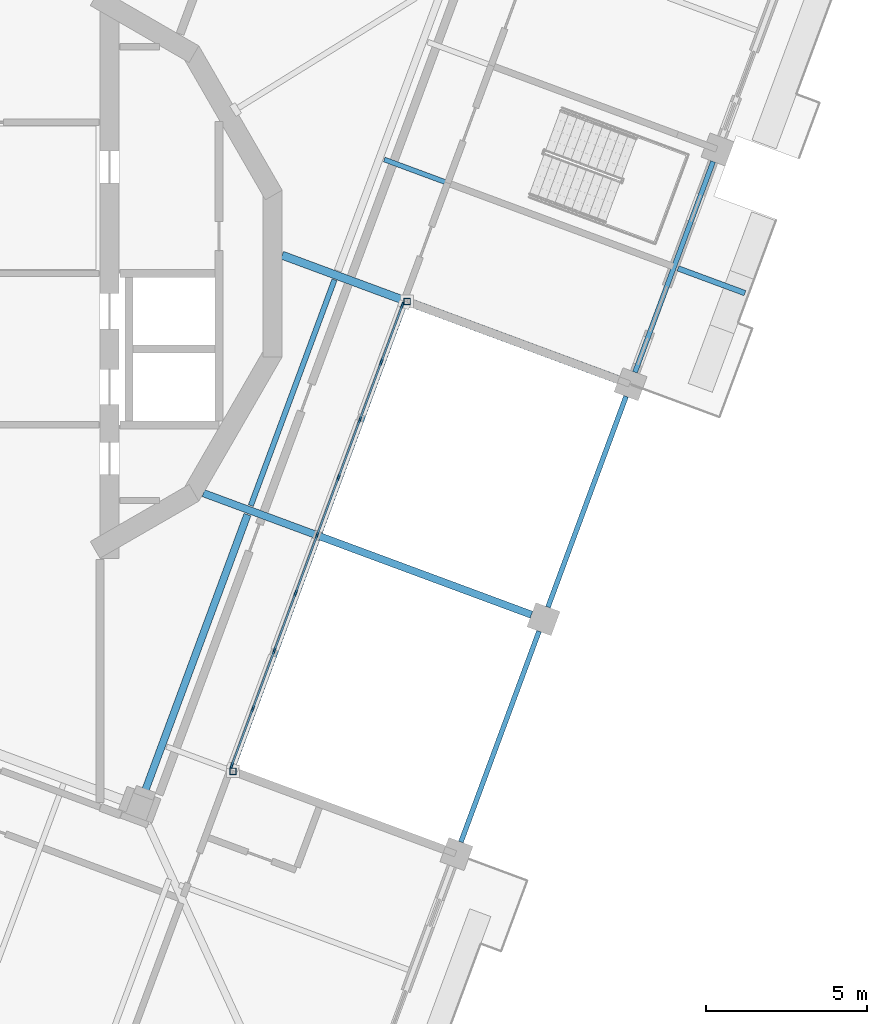
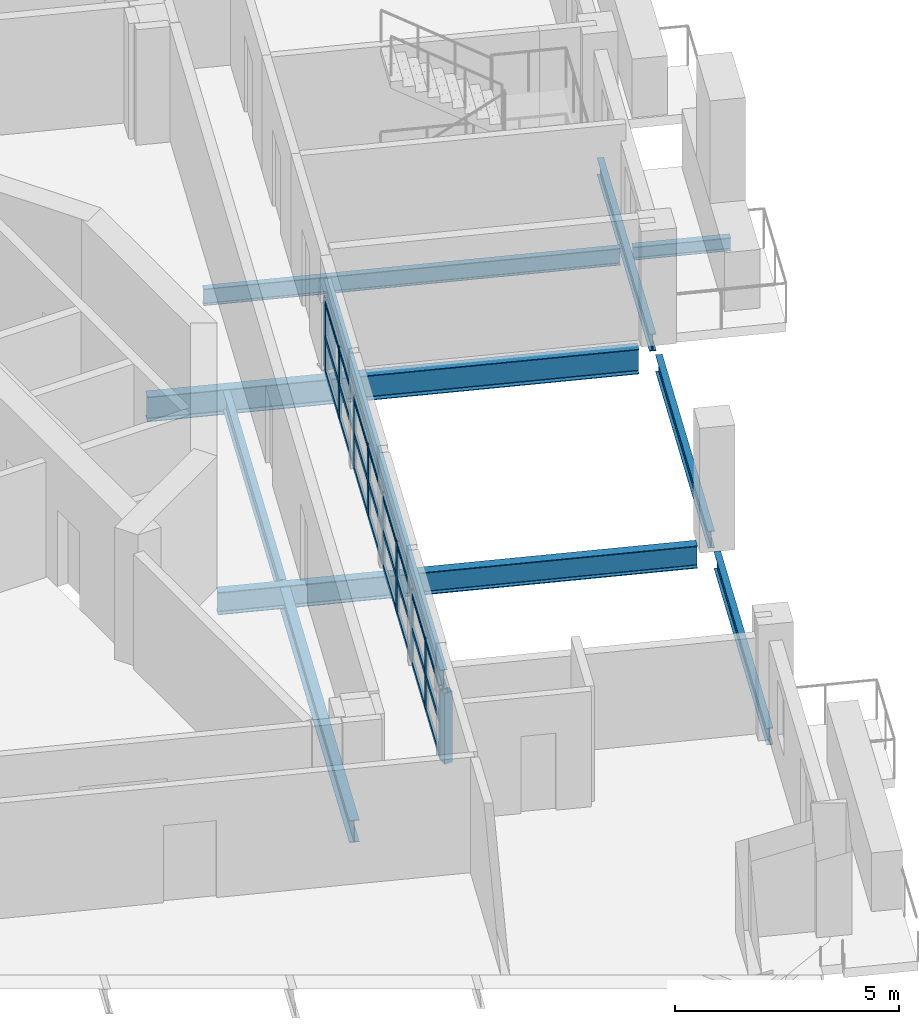
# One storey, part 2 of 19: 35 members, 10 beams, 1 element without a shape of its own.
"""IFC4 building model written with IfcOpenShell, lengths in metres."""

from ifc_helpers import new_model, si_unit, direction, frame, origin, origin_2d, place, context, subcontext, project, spatial, rectangle, hollow_rectangle, i_section, extrude, material, material_profile, profile_set, type_object, element, aggregate, save


model = new_model("IFC4")

# Units and contexts
model_context = context("Model", 3, precision=1e-05, world=origin(), true_north=direction((0.0, 1.0)))
body_context = subcontext(model_context, "Body", "Model", "MODEL_VIEW")
ifc_project = project(units=[si_unit("LENGTHUNIT", "METRE"), si_unit("AREAUNIT", "SQUARE_METRE"), si_unit("VOLUMEUNIT", "CUBIC_METRE"), si_unit("PLANEANGLEUNIT", "RADIAN"), si_unit("MASSUNIT", "GRAM", prefix="KILO")], contexts=[model_context])

# Site, building, storey
site_placement = place(None, origin())
site = spatial("IfcSite", under=ifc_project, at=site_placement, CompositionType="ELEMENT")
building_placement = place(site_placement, origin())
building = spatial("IfcBuilding", under=site, at=building_placement, Name="Cantera Rosa Tower", CompositionType="ELEMENT")
storey_placement = place(building_placement, frame((0.0, 0.0, 342.10009765625)))
storey = spatial("IfcBuildingStorey", under=building, at=storey_placement, Name="L77", CompositionType="ELEMENT", Elevation=342.10009765625)

# Curtain wall, members
ifc_material_1 = material(Name="Aluminium frame with clear glass", Category="aluminium")
curtain_wall_type = type_object("IfcCurtainWallType", Name="CW1 TERRACE POCKET GLAZING", PredefinedType="NOTDEFINED", material=ifc_material_1)
curtain_wall_placement = place(storey_placement, origin())
curtain_wall = element("IfcCurtainWall", 1, at=curtain_wall_placement, inside=storey, type_object=curtain_wall_type, Name="CW1 CW1", PredefinedType="NOTDEFINED")
ifc_material_2 = material(Name="Anodised bronze aluminium", Category="aluminium")
ifc_material_profile_1 = material_profile(ifc_material_2, rectangle(XDim=0.06005859375, YDim=0.179931640625, at=origin_2d()), Name="CW-MULLION 60x180 POCKET")
ifc_profile_set_1 = profile_set([ifc_material_profile_1], Name="Anodised bronze aluminium")
member_type_1 = type_object("IfcMemberType", Name="CW-MULLION 60x180 POCKET", PredefinedType="MULLION", material=ifc_profile_set_1)
member_1_placement = place(storey_placement, frame((8.094970703125, -15.280029296875, 0.0), z_axis=(0.0, 0.0, 1.0), x_axis=(-0.93768693693, 0.347481234472, 0.0)))
member_1 = element("IfcMember", 2, at=member_1_placement, type_object=member_type_1, Name="CW1 mullion 1", PredefinedType="MULLION", context=body_context, shape_type="SweptSolid", body=[
    extrude(rectangle(XDim=0.06005859375, YDim=0.179931640625, at=origin_2d()), origin(), (0.0, 0.0, 1.0), 1.927978515625),
])
member_2_placement = place(storey_placement, frame((8.74951171875, -13.513671875, 0.0), z_axis=(0.0, 0.0, 1.0), x_axis=(-0.93768693693, 0.347481234472, 0.0)))
member_2 = element("IfcMember", 3, at=member_2_placement, type_object=member_type_1, Name="CW1 mullion 2", PredefinedType="MULLION", context=body_context, shape_type="SweptSolid", body=[
    extrude(rectangle(XDim=0.06005859375, YDim=0.179931640625, at=origin_2d()), origin(), (0.0, 0.0, 1.0), 1.927978515625),
])
member_3_placement = place(storey_placement, frame((9.41455078125, -11.718994140625, 0.0), z_axis=(0.0, 0.0, 1.0), x_axis=(-0.93768693693, 0.347481234472, 0.0)))
member_3 = element("IfcMember", 4, at=member_3_placement, type_object=member_type_1, Name="CW1 mullion 3", PredefinedType="MULLION", context=body_context, shape_type="SweptSolid", body=[
    extrude(rectangle(XDim=0.06005859375, YDim=0.179931640625, at=origin_2d()), origin(), (0.0, 0.0, 1.0), 1.927978515625),
])
member_4_placement = place(storey_placement, frame((10.079345703125, -9.924560546875, 0.0), z_axis=(0.0, 0.0, 1.0), x_axis=(-0.93768693693, 0.347481234472, 0.0)))
member_4 = element("IfcMember", 5, at=member_4_placement, type_object=member_type_1, Name="CW1 mullion 4", PredefinedType="MULLION", context=body_context, shape_type="SweptSolid", body=[
    extrude(rectangle(XDim=0.06005859375, YDim=0.179931640625, at=origin_2d()), origin(), (0.0, 0.0, 1.0), 1.927978515625),
])
member_5_placement = place(storey_placement, frame((10.744384765625, -8.130126953125, 0.0), z_axis=(0.0, 0.0, 1.0), x_axis=(-0.93768693693, 0.347481234472, 0.0)))
member_5 = element("IfcMember", 6, at=member_5_placement, type_object=member_type_1, Name="CW1 mullion 5", PredefinedType="MULLION", context=body_context, shape_type="SweptSolid", body=[
    extrude(rectangle(XDim=0.06005859375, YDim=0.179931640625, at=origin_2d()), origin(), (0.0, 0.0, 1.0), 1.927978515625),
])
member_6_placement = place(storey_placement, frame((11.409423828125, -6.335693359375, 0.0), z_axis=(0.0, 0.0, 1.0), x_axis=(-0.93768693693, 0.347481234472, 0.0)))
member_6 = element("IfcMember", 7, at=member_6_placement, type_object=member_type_1, Name="CW1 mullion 6", PredefinedType="MULLION", context=body_context, shape_type="SweptSolid", body=[
    extrude(rectangle(XDim=0.06005859375, YDim=0.179931640625, at=origin_2d()), origin(), (0.0, 0.0, 1.0), 1.927978515625),
])
member_7_placement = place(storey_placement, frame((12.074462890625, -4.541015625, 0.0), z_axis=(0.0, 0.0, 1.0), x_axis=(-0.93768693693, 0.347481234472, 0.0)))
member_7 = element("IfcMember", 8, at=member_7_placement, type_object=member_type_1, Name="CW1 mullion 7", PredefinedType="MULLION", context=body_context, shape_type="SweptSolid", body=[
    extrude(rectangle(XDim=0.06005859375, YDim=0.179931640625, at=origin_2d()), origin(), (0.0, 0.0, 1.0), 1.927978515625),
])
member_8_placement = place(storey_placement, frame((12.739501953125, -2.74658203125, 0.0), z_axis=(0.0, 0.0, 1.0), x_axis=(-0.93768693693, 0.347481234472, 0.0)))
member_8 = element("IfcMember", 9, at=member_8_placement, type_object=member_type_1, Name="CW1 mullion 8", PredefinedType="MULLION", context=body_context, shape_type="SweptSolid", body=[
    extrude(rectangle(XDim=0.06005859375, YDim=0.179931640625, at=origin_2d()), origin(), (0.0, 0.0, 1.0), 1.927978515625),
])
member_9_placement = place(storey_placement, frame((13.39404296875, -0.980224609375, 0.0), z_axis=(0.0, 0.0, 1.0), x_axis=(-0.93768693693, 0.347481234472, 0.0)))
member_9 = element("IfcMember", 10, at=member_9_placement, type_object=member_type_1, Name="CW1 mullion 9", PredefinedType="MULLION", context=body_context, shape_type="SweptSolid", body=[
    extrude(rectangle(XDim=0.06005859375, YDim=0.179931640625, at=origin_2d()), origin(), (0.0, 0.0, 1.0), 1.927978515625),
])
ifc_material_3 = material(Name="Anodised bronze aluminium", Category="aluminium")
ifc_material_profile_2 = material_profile(ifc_material_3, rectangle(XDim=0.06005859375, YDim=0.139892578125, at=origin_2d()), Name="CW-TRANSOM 60x140 POCKET")
ifc_profile_set_2 = profile_set([ifc_material_profile_2], Name="Anodised bronze aluminium")
member_type_2 = type_object("IfcMemberType", Name="CW-TRANSOM 60x140 POCKET", PredefinedType="USERDEFINED", material=ifc_profile_set_2)
member_10_placement = place(storey_placement, frame((8.105224609375, -15.251953125, 0.02978515625), z_axis=(0.347497456421, 0.937680925358, 0.0), x_axis=(-0.937680925358, 0.347497456421, 0.0)))
member_10 = element("IfcMember", 11, at=member_10_placement, type_object=member_type_2, Name="CW1 transom 1.1", ObjectType="TRANSOM", PredefinedType="USERDEFINED", context=body_context, shape_type="SweptSolid", body=[
    extrude(rectangle(XDim=0.06005859375, YDim=0.139892578125, at=origin_2d()), origin(), (0.0, 0.0, 1.0), 1.823974609375),
])
member_11_placement = place(storey_placement, frame((8.105224609375, -15.251953125, 0.9638671875), z_axis=(0.347497456421, 0.937680925358, 0.0), x_axis=(-0.937680925358, 0.347497456421, 0.0)))
member_11 = element("IfcMember", 12, at=member_11_placement, type_object=member_type_2, Name="CW1 transom 1.2", ObjectType="TRANSOM", PredefinedType="USERDEFINED", context=body_context, shape_type="SweptSolid", body=[
    extrude(rectangle(XDim=0.06005859375, YDim=0.139892578125, at=origin_2d()), origin(), (0.0, 0.0, 1.0), 1.823974609375),
])
member_12_placement = place(storey_placement, frame((8.105224609375, -15.251953125, 1.89794921875), z_axis=(0.347497456421, 0.937680925358, 0.0), x_axis=(-0.937680925358, 0.347497456421, 0.0)))
member_12 = element("IfcMember", 13, at=member_12_placement, type_object=member_type_2, Name="CW1 transom 1.3", ObjectType="TRANSOM", PredefinedType="USERDEFINED", context=body_context, shape_type="SweptSolid", body=[
    extrude(rectangle(XDim=0.06005859375, YDim=0.139892578125, at=origin_2d()), origin(), (0.0, 0.0, 1.0), 1.823974609375),
])
member_13_placement = place(storey_placement, frame((8.760009765625, -13.485595703125, 0.02978515625), z_axis=(0.347425877782, 0.937707448753, 0.0), x_axis=(-0.937707448753, 0.347425877782, 0.0)))
member_13 = element("IfcMember", 14, at=member_13_placement, type_object=member_type_2, Name="CW1 transom 2.1", ObjectType="TRANSOM", PredefinedType="USERDEFINED", context=body_context, shape_type="SweptSolid", body=[
    extrude(rectangle(XDim=0.06005859375, YDim=0.139892578125, at=origin_2d()), origin(), (0.0, 0.0, 1.0), 1.853759765625),
])
member_14_placement = place(storey_placement, frame((8.760009765625, -13.485595703125, 0.9638671875), z_axis=(0.347425877782, 0.937707448753, 0.0), x_axis=(-0.937707448753, 0.347425877782, 0.0)))
member_14 = element("IfcMember", 15, at=member_14_placement, type_object=member_type_2, Name="CW1 transom 2.2", ObjectType="TRANSOM", PredefinedType="USERDEFINED", context=body_context, shape_type="SweptSolid", body=[
    extrude(rectangle(XDim=0.06005859375, YDim=0.139892578125, at=origin_2d()), origin(), (0.0, 0.0, 1.0), 1.853759765625),
])
member_15_placement = place(storey_placement, frame((8.760009765625, -13.485595703125, 1.89794921875), z_axis=(0.347425877782, 0.937707448753, 0.0), x_axis=(-0.937707448753, 0.347425877782, 0.0)))
member_15 = element("IfcMember", 16, at=member_15_placement, type_object=member_type_2, Name="CW1 transom 2.3", ObjectType="TRANSOM", PredefinedType="USERDEFINED", context=body_context, shape_type="SweptSolid", body=[
    extrude(rectangle(XDim=0.06005859375, YDim=0.139892578125, at=origin_2d()), origin(), (0.0, 0.0, 1.0), 1.853759765625),
])
member_16_placement = place(storey_placement, frame((9.4248046875, -11.69091796875, 0.02978515625), z_axis=(0.347541673446, 0.937664537678, 0.0), x_axis=(-0.937664537678, 0.347541673446, 0.0)))
member_16 = element("IfcMember", 17, at=member_16_placement, type_object=member_type_2, Name="CW1 transom 3.1", ObjectType="TRANSOM", PredefinedType="USERDEFINED", context=body_context, shape_type="SweptSolid", body=[
    extrude(rectangle(XDim=0.06005859375, YDim=0.139892578125, at=origin_2d()), origin(), (0.0, 0.0, 1.0), 1.853759765625),
])
member_17_placement = place(storey_placement, frame((9.4248046875, -11.69091796875, 0.9638671875), z_axis=(0.347541673446, 0.937664537678, 0.0), x_axis=(-0.937664537678, 0.347541673446, 0.0)))
member_17 = element("IfcMember", 18, at=member_17_placement, type_object=member_type_2, Name="CW1 transom 3.2", ObjectType="TRANSOM", PredefinedType="USERDEFINED", context=body_context, shape_type="SweptSolid", body=[
    extrude(rectangle(XDim=0.06005859375, YDim=0.139892578125, at=origin_2d()), origin(), (0.0, 0.0, 1.0), 1.853759765625),
])
member_18_placement = place(storey_placement, frame((9.4248046875, -11.69091796875, 1.89794921875), z_axis=(0.347541673446, 0.937664537678, 0.0), x_axis=(-0.937664537678, 0.347541673446, 0.0)))
member_18 = element("IfcMember", 19, at=member_18_placement, type_object=member_type_2, Name="CW1 transom 3.3", ObjectType="TRANSOM", PredefinedType="USERDEFINED", context=body_context, shape_type="SweptSolid", body=[
    extrude(rectangle(XDim=0.06005859375, YDim=0.139892578125, at=origin_2d()), origin(), (0.0, 0.0, 1.0), 1.853759765625),
])
member_19_placement = place(storey_placement, frame((10.08984375, -9.896484375, 0.02978515625), z_axis=(0.347541673446, 0.937664537678, 0.0), x_axis=(-0.937664537678, 0.347541673446, 0.0)))
member_19 = element("IfcMember", 20, at=member_19_placement, type_object=member_type_2, Name="CW1 transom 4.1", ObjectType="TRANSOM", PredefinedType="USERDEFINED", context=body_context, shape_type="SweptSolid", body=[
    extrude(rectangle(XDim=0.06005859375, YDim=0.139892578125, at=origin_2d()), origin(), (0.0, 0.0, 1.0), 1.853759765625),
])
member_20_placement = place(storey_placement, frame((10.08984375, -9.896484375, 0.9638671875), z_axis=(0.347541673446, 0.937664537678, 0.0), x_axis=(-0.937664537678, 0.347541673446, 0.0)))
member_20 = element("IfcMember", 21, at=member_20_placement, type_object=member_type_2, Name="CW1 transom 4.2", ObjectType="TRANSOM", PredefinedType="USERDEFINED", context=body_context, shape_type="SweptSolid", body=[
    extrude(rectangle(XDim=0.06005859375, YDim=0.139892578125, at=origin_2d()), origin(), (0.0, 0.0, 1.0), 1.853759765625),
])
member_21_placement = place(storey_placement, frame((10.08984375, -9.896484375, 1.89794921875), z_axis=(0.347541673446, 0.937664537678, 0.0), x_axis=(-0.937664537678, 0.347541673446, 0.0)))
member_21 = element("IfcMember", 22, at=member_21_placement, type_object=member_type_2, Name="CW1 transom 4.3", ObjectType="TRANSOM", PredefinedType="USERDEFINED", context=body_context, shape_type="SweptSolid", body=[
    extrude(rectangle(XDim=0.06005859375, YDim=0.139892578125, at=origin_2d()), origin(), (0.0, 0.0, 1.0), 1.853759765625),
])
member_22_placement = place(storey_placement, frame((10.7548828125, -8.10205078125, 0.02978515625), z_axis=(0.347425877782, 0.937707448753, 0.0), x_axis=(-0.937707448753, 0.347425877782, 0.0)))
member_22 = element("IfcMember", 23, at=member_22_placement, type_object=member_type_2, Name="CW1 transom 5.1", ObjectType="TRANSOM", PredefinedType="USERDEFINED", context=body_context, shape_type="SweptSolid", body=[
    extrude(rectangle(XDim=0.06005859375, YDim=0.139892578125, at=origin_2d()), origin(), (0.0, 0.0, 1.0), 1.853759765625),
])
member_23_placement = place(storey_placement, frame((10.7548828125, -8.10205078125, 0.9638671875), z_axis=(0.347425877782, 0.937707448753, 0.0), x_axis=(-0.937707448753, 0.347425877782, 0.0)))
member_23 = element("IfcMember", 24, at=member_23_placement, type_object=member_type_2, Name="CW1 transom 5.2", ObjectType="TRANSOM", PredefinedType="USERDEFINED", context=body_context, shape_type="SweptSolid", body=[
    extrude(rectangle(XDim=0.06005859375, YDim=0.139892578125, at=origin_2d()), origin(), (0.0, 0.0, 1.0), 1.853759765625),
])
member_24_placement = place(storey_placement, frame((10.7548828125, -8.10205078125, 1.89794921875), z_axis=(0.347425877782, 0.937707448753, 0.0), x_axis=(-0.937707448753, 0.347425877782, 0.0)))
member_24 = element("IfcMember", 25, at=member_24_placement, type_object=member_type_2, Name="CW1 transom 5.3", ObjectType="TRANSOM", PredefinedType="USERDEFINED", context=body_context, shape_type="SweptSolid", body=[
    extrude(rectangle(XDim=0.06005859375, YDim=0.139892578125, at=origin_2d()), origin(), (0.0, 0.0, 1.0), 1.853759765625),
])
member_25_placement = place(storey_placement, frame((11.419921875, -6.307373046875, 0.02978515625), z_axis=(0.347468788607, 0.937691548935, 0.0), x_axis=(-0.937691548935, 0.347468788607, 0.0)))
member_25 = element("IfcMember", 26, at=member_25_placement, type_object=member_type_2, Name="CW1 transom 6.1", ObjectType="TRANSOM", PredefinedType="USERDEFINED", context=body_context, shape_type="SweptSolid", body=[
    extrude(rectangle(XDim=0.06005859375, YDim=0.139892578125, at=origin_2d()), origin(), (0.0, 0.0, 1.0), 1.853515625),
])
member_26_placement = place(storey_placement, frame((11.419921875, -6.307373046875, 0.9638671875), z_axis=(0.347468788607, 0.937691548935, 0.0), x_axis=(-0.937691548935, 0.347468788607, 0.0)))
member_26 = element("IfcMember", 27, at=member_26_placement, type_object=member_type_2, Name="CW1 transom 6.2", ObjectType="TRANSOM", PredefinedType="USERDEFINED", context=body_context, shape_type="SweptSolid", body=[
    extrude(rectangle(XDim=0.06005859375, YDim=0.139892578125, at=origin_2d()), origin(), (0.0, 0.0, 1.0), 1.853515625),
])
member_27_placement = place(storey_placement, frame((11.419921875, -6.307373046875, 1.89794921875), z_axis=(0.347468788607, 0.937691548935, 0.0), x_axis=(-0.937691548935, 0.347468788607, 0.0)))
member_27 = element("IfcMember", 28, at=member_27_placement, type_object=member_type_2, Name="CW1 transom 6.3", ObjectType="TRANSOM", PredefinedType="USERDEFINED", context=body_context, shape_type="SweptSolid", body=[
    extrude(rectangle(XDim=0.06005859375, YDim=0.139892578125, at=origin_2d()), origin(), (0.0, 0.0, 1.0), 1.853515625),
])
member_28_placement = place(storey_placement, frame((12.0849609375, -4.512939453125, 0.02978515625), z_axis=(0.347425877782, 0.937707448753, 0.0), x_axis=(-0.937707448753, 0.347425877782, 0.0)))
member_28 = element("IfcMember", 29, at=member_28_placement, type_object=member_type_2, Name="CW1 transom 7.1", ObjectType="TRANSOM", PredefinedType="USERDEFINED", context=body_context, shape_type="SweptSolid", body=[
    extrude(rectangle(XDim=0.06005859375, YDim=0.139892578125, at=origin_2d()), origin(), (0.0, 0.0, 1.0), 1.853759765625),
])
member_29_placement = place(storey_placement, frame((12.0849609375, -4.512939453125, 0.9638671875), z_axis=(0.347425877782, 0.937707448753, 0.0), x_axis=(-0.937707448753, 0.347425877782, 0.0)))
member_29 = element("IfcMember", 30, at=member_29_placement, type_object=member_type_2, Name="CW1 transom 7.2", ObjectType="TRANSOM", PredefinedType="USERDEFINED", context=body_context, shape_type="SweptSolid", body=[
    extrude(rectangle(XDim=0.06005859375, YDim=0.139892578125, at=origin_2d()), origin(), (0.0, 0.0, 1.0), 1.853759765625),
])
member_30_placement = place(storey_placement, frame((12.0849609375, -4.512939453125, 1.89794921875), z_axis=(0.347425877782, 0.937707448753, 0.0), x_axis=(-0.937707448753, 0.347425877782, 0.0)))
member_30 = element("IfcMember", 31, at=member_30_placement, type_object=member_type_2, Name="CW1 transom 7.3", ObjectType="TRANSOM", PredefinedType="USERDEFINED", context=body_context, shape_type="SweptSolid", body=[
    extrude(rectangle(XDim=0.06005859375, YDim=0.139892578125, at=origin_2d()), origin(), (0.0, 0.0, 1.0), 1.853759765625),
])
member_31_placement = place(storey_placement, frame((12.749755859375, -2.718505859375, 0.02978515625), z_axis=(0.347497456421, 0.937680925358, 0.0), x_axis=(-0.937680925358, 0.347497456421, 0.0)))
member_31 = element("IfcMember", 32, at=member_31_placement, type_object=member_type_2, Name="CW1 transom 8.1", ObjectType="TRANSOM", PredefinedType="USERDEFINED", context=body_context, shape_type="SweptSolid", body=[
    extrude(rectangle(XDim=0.06005859375, YDim=0.139892578125, at=origin_2d()), origin(), (0.0, 0.0, 1.0), 1.823974609375),
])
member_32_placement = place(storey_placement, frame((12.749755859375, -2.718505859375, 0.9638671875), z_axis=(0.347497456421, 0.937680925358, 0.0), x_axis=(-0.937680925358, 0.347497456421, 0.0)))
member_32 = element("IfcMember", 33, at=member_32_placement, type_object=member_type_2, Name="CW1 transom 8.2", ObjectType="TRANSOM", PredefinedType="USERDEFINED", context=body_context, shape_type="SweptSolid", body=[
    extrude(rectangle(XDim=0.06005859375, YDim=0.139892578125, at=origin_2d()), origin(), (0.0, 0.0, 1.0), 1.823974609375),
])
member_33_placement = place(storey_placement, frame((12.749755859375, -2.718505859375, 1.89794921875), z_axis=(0.347497456421, 0.937680925358, 0.0), x_axis=(-0.937680925358, 0.347497456421, 0.0)))
member_33 = element("IfcMember", 34, at=member_33_placement, type_object=member_type_2, Name="CW1 transom 8.3", ObjectType="TRANSOM", PredefinedType="USERDEFINED", context=body_context, shape_type="SweptSolid", body=[
    extrude(rectangle(XDim=0.06005859375, YDim=0.139892578125, at=origin_2d()), origin(), (0.0, 0.0, 1.0), 1.823974609375),
])
aggregate(curtain_wall, [member_1, member_2, member_3, member_4, member_5, member_6, member_7, member_8, member_9, member_10, member_11, member_12, member_13, member_14, member_15, member_16, member_17, member_18, member_19, member_20, member_21, member_22, member_23, member_24, member_25, member_26, member_27, member_28, member_29, member_30, member_31, member_32, member_33])

# Members
ifc_material_4 = material(Name="Steel ASTM A992 (Fy 345 MPa)", Category="steel")
ifc_material_profile_3 = material_profile(ifc_material_4, hollow_rectangle(XDim=0.199951171875, YDim=0.199951171875, WallThickness=0.010009765625, at=origin_2d()), Name="LINTEL POST RHS 200x200x10")
ifc_profile_set_3 = profile_set([ifc_material_profile_3], Name="Steel ASTM A992 (Fy 345 MPa)")
member_type_3 = type_object("IfcMemberType", Name="LINTEL POST RHS 200x200x10", PredefinedType="USERDEFINED", material=ifc_profile_set_3)
for number, where, z_axis, x_axis, name in (
    (35, (8.134765625, -15.460205078125, 0.0), (0.0, 0.0, 1.0), (1.0, 0.0, 0.0), "LINTEL POST L77-1"),
    (36, (13.54150390625, -0.86962890625, 0.0), (0.0, 0.0, 1.0), (1.0, 0.0, 0.0), "LINTEL POST L77-2"),
):
    element("IfcMember", number, at=place(storey_placement, frame(where, z_axis=z_axis, x_axis=x_axis)), inside=storey, type_object=member_type_3, Name=name, ObjectType="LINTEL POST", PredefinedType="USERDEFINED", context=body_context, shape_type="SweptSolid", body=[
        extrude(hollow_rectangle(XDim=0.199951171875, YDim=0.199951171875, WallThickness=0.010009765625, at=origin_2d()), origin(), (0.0, 0.0, 1.0), 1.929931640625),
    ])

# Beams
ifc_material_5 = material(Name="Steel ASTM A992 (Fy 345 MPa)", Category="steel")
ifc_material_profile_4 = material_profile(ifc_material_5, i_section(OverallWidth=0.166015625, OverallDepth=0.528076171875, WebThickness=0.009765625, FlangeThickness=0.013671875, FilletRadius=0.0126953125, at=origin_2d()), Name="W530X74")
ifc_profile_set_4 = profile_set([ifc_material_profile_4], Name="Steel ASTM A992 (Fy 345 MPa)")
beam_type_1 = type_object("IfcBeamType", Name="STEEL BEAM W530X74", PredefinedType="BEAM", material=ifc_profile_set_4)
beam_1_placement = place(storey_placement, frame((8.686767578125, -7.20751953125, -0.51416015625), z_axis=(0.347486566882, 0.937684960867, 0.0), x_axis=(-0.937684960867, 0.347486566882, 0.0)))
element("IfcBeam", 37, at=beam_1_placement, inside=storey, type_object=beam_type_1, Name="RB-Z6-05 L77", PredefinedType="BEAM", context=body_context, shape_type="SweptSolid", body=[
    extrude(i_section(OverallWidth=0.166015625, OverallDepth=0.528076171875, WebThickness=0.009765625, FlangeThickness=0.013671875, FilletRadius=0.0126953125, at=origin_2d()), origin(), (0.0, 0.0, 1.0), 7.479736328125),
])
beam_2_placement = place(storey_placement, frame((8.105224609375, -15.395751953125, 2.19384765625), z_axis=(0.347483050197, 0.93768626407, 0.0), x_axis=(-0.93768626407, 0.347483050197, 0.0)))
element("IfcBeam", 38, at=beam_2_placement, inside=storey, type_object=beam_type_1, Name="LINTEL SL-L77", PredefinedType="BEAM", context=body_context, shape_type="SweptSolid", body=[
    extrude(i_section(OverallWidth=0.166015625, OverallDepth=0.528076171875, WebThickness=0.009765625, FlangeThickness=0.013671875, FilletRadius=0.0126953125, at=origin_2d()), origin(), (0.0, 0.0, 1.0), 15.4599609375),
])
ifc_material_6 = material(Name="Steel ASTM A992 (Fy 345 MPa)", Category="steel")
ifc_material_profile_5 = material_profile(ifc_material_6, i_section(OverallWidth=0.22802734375, OverallDepth=0.60205078125, WebThickness=0.010498046875, FlangeThickness=0.014892578125, FilletRadius=0.0126953125, at=origin_2d()), Name="W610X101")
ifc_profile_set_5 = profile_set([ifc_material_profile_5], Name="Steel ASTM A992 (Fy 345 MPa)")
beam_type_2 = type_object("IfcBeamType", Name="STEEL BEAM W610X101", PredefinedType="BEAM", material=ifc_profile_set_5)
beam_3_placement = place(storey_placement, frame((5.38232421875, -16.125, -0.551025390625), z_axis=(0.347474937304, 0.937689270465, 0.0), x_axis=(-0.937689270465, 0.347474937304, 0.0)))
element("IfcBeam", 39, at=beam_3_placement, inside=storey, type_object=beam_type_2, Name="RB-Z6-04 L77", PredefinedType="BEAM", context=body_context, shape_type="SweptSolid", body=[
    extrude(i_section(OverallWidth=0.22802734375, OverallDepth=0.60205078125, WebThickness=0.010498046875, FlangeThickness=0.014892578125, FilletRadius=0.0126953125, at=origin_2d()), origin(), (0.0, 0.0, 1.0), 9.2099609375),
])
ifc_material_7 = material(Name="Steel ASTM A992 (Fy 345 MPa)", Category="steel")
ifc_material_profile_6 = material_profile(ifc_material_7, i_section(OverallWidth=0.22900390625, OverallDepth=0.612060546875, WebThickness=0.011962890625, FlangeThickness=0.01953125, FilletRadius=0.0126953125, at=origin_2d()), Name="W610X125")
ifc_profile_set_6 = profile_set([ifc_material_profile_6], Name="Steel ASTM A992 (Fy 345 MPa)")
beam_type_3 = type_object("IfcBeamType", Name="STEEL BEAM W610X125", PredefinedType="BEAM", material=ifc_profile_set_6)
beam_4_placement = place(storey_placement, frame((17.402099609375, -10.59716796875, -0.55615234375), z_axis=(-0.937686127687, 0.347483418229, 0.0), x_axis=(-0.347483418229, -0.937686127687, 0.0)))
element("IfcBeam", 40, at=beam_4_placement, inside=storey, type_object=beam_type_3, Name="G-Z6-09 L77", PredefinedType="BEAM", context=body_context, shape_type="SweptSolid", body=[
    extrude(i_section(OverallWidth=0.22900390625, OverallDepth=0.612060546875, WebThickness=0.011962890625, FlangeThickness=0.01953125, FilletRadius=0.0126953125, at=origin_2d()), origin(), (0.0, 0.0, 1.0), 10.8642578125),
])
ifc_material_8 = material(Name="Steel ASTM A992 (Fy 345 MPa)", Category="steel")
ifc_material_profile_7 = material_profile(ifc_material_8, i_section(OverallWidth=0.25390625, OverallDepth=0.677978515625, WebThickness=0.01171875, FlangeThickness=0.016357421875, FilletRadius=0.01513671875, at=origin_2d()), Name="W690X125")
ifc_profile_set_7 = profile_set([ifc_material_profile_7], Name="Steel ASTM A992 (Fy 345 MPa)")
beam_type_4 = type_object("IfcBeamType", Name="STEEL BEAM W690X125", PredefinedType="BEAM", material=ifc_profile_set_7)
beam_5_placement = place(storey_placement, frame((20.10546875, -3.302001953125, -0.589111328125), z_axis=(-0.937687416585, 0.347479940109, 0.0), x_axis=(-0.347479940109, -0.937687416585, 0.0)))
element("IfcBeam", 41, at=beam_5_placement, inside=storey, type_object=beam_type_4, Name="G-Z6-10 L77", PredefinedType="BEAM", context=body_context, shape_type="SweptSolid", body=[
    extrude(i_section(OverallWidth=0.25390625, OverallDepth=0.677978515625, WebThickness=0.01171875, FlangeThickness=0.016357421875, FilletRadius=0.01513671875, at=origin_2d()), origin(), (0.0, 0.0, 1.0), 11.140380859375),
])
ifc_material_9 = material(Name="Steel ASTM A992 (Fy 345 MPa)", Category="steel")
ifc_material_profile_8 = material_profile(ifc_material_9, i_section(OverallWidth=0.1708984375, OverallDepth=0.35595703125, WebThickness=0.00732421875, FlangeThickness=0.01171875, FilletRadius=0.010009765625, at=origin_2d()), Name="W360X51")
ifc_profile_set_8 = profile_set([ifc_material_profile_8], Name="Steel ASTM A992 (Fy 345 MPa)")
beam_type_5 = type_object("IfcBeamType", Name="STEEL JOIST W360X51", PredefinedType="JOIST", material=ifc_profile_set_8)
beam_6_placement = place(storey_placement, frame((21.9541015625, 0.161376953125, -0.427978515625), z_axis=(0.93768769141, -0.347479198483, 0.0), x_axis=(0.347479198483, 0.93768769141, 0.0)))
element("IfcBeam", 42, at=beam_6_placement, inside=storey, type_object=beam_type_5, Name="BS-Z6-07 L77", PredefinedType="JOIST", context=body_context, shape_type="SweptSolid", body=[
    extrude(i_section(OverallWidth=0.1708984375, OverallDepth=0.35595703125, WebThickness=0.00732421875, FlangeThickness=0.01171875, FilletRadius=0.010009765625, at=origin_2d()), origin(), (0.0, 0.0, 1.0), 2.21875),
])
ifc_material_10 = material(Name="Steel ASTM A992 (Fy 345 MPa)", Category="steel")
ifc_material_profile_9 = material_profile(ifc_material_10, i_section(OverallWidth=0.154052734375, OverallDepth=0.4599609375, WebThickness=0.009033203125, FlangeThickness=0.015380859375, FilletRadius=0.01025390625, at=origin_2d()), Name="W460X68")
ifc_profile_set_9 = profile_set([ifc_material_profile_9], Name="Steel ASTM A992 (Fy 345 MPa)")
beam_type_6 = type_object("IfcBeamType", Name="STEEL JOIST W460X68", PredefinedType="JOIST", material=ifc_profile_set_9)
beam_7_placement = place(storey_placement, frame((21.691650390625, 0.2587890625, -0.47998046875), z_axis=(-0.937689536508, 0.347474219364, 0.0), x_axis=(-0.347474219364, -0.937689536508, 0.0)))
element("IfcBeam", 43, at=beam_7_placement, inside=storey, type_object=beam_type_6, Name="B-Z6-13 L77", PredefinedType="JOIST", context=body_context, shape_type="SweptSolid", body=[
    extrude(i_section(OverallWidth=0.154052734375, OverallDepth=0.4599609375, WebThickness=0.009033203125, FlangeThickness=0.015380859375, FilletRadius=0.01025390625, at=origin_2d()), origin(), (0.0, 0.0, 1.0), 9.4501953125),
])
ifc_material_11 = material(Name="Steel ASTM A992 (Fy 345 MPa)", Category="steel")
ifc_material_profile_10 = material_profile(ifc_material_11, i_section(OverallWidth=0.154052734375, OverallDepth=0.4599609375, WebThickness=0.009033203125, FlangeThickness=0.015380859375, FilletRadius=0.01025390625, at=origin_2d()), Name="W460X68")
ifc_profile_set_10 = profile_set([ifc_material_profile_10], Name="Steel ASTM A992 (Fy 345 MPa)")
beam_type_7 = type_object("IfcBeamType", Name="STEEL SPANDREL BEAM W460X68", PredefinedType="SPANDREL", material=ifc_profile_set_10)
for number, where, z_axis, x_axis, name in (
    (44, (15.212646484375, -17.65625, -0.47998046875), (0.347502316452, 0.937679124253, 0.0), (-0.937679124253, 0.347502316452, 0.0), "EB-Z6-21 L77"),
    (45, (17.916015625, -10.361083984375, -0.47998046875), (0.347502316452, 0.937679124253, 0.0), (-0.937679124253, 0.347502316452, 0.0), "EB-Z6-22 L77"),
):
    element("IfcBeam", number, at=place(storey_placement, frame(where, z_axis=z_axis, x_axis=x_axis)), inside=storey, type_object=beam_type_7, Name=name, PredefinedType="SPANDREL", context=body_context, shape_type="SweptSolid", body=[
        extrude(i_section(OverallWidth=0.154052734375, OverallDepth=0.4599609375, WebThickness=0.009033203125, FlangeThickness=0.015380859375, FilletRadius=0.01025390625, at=origin_2d()), origin(), (0.0, 0.0, 1.0), 6.97998046875),
    ])
beam_8_placement = place(storey_placement, frame((20.61962890625, -3.06591796875, -0.47998046875), z_axis=(0.347471562124, 0.937690521182, 0.0), x_axis=(-0.937690521182, 0.347471562124, 0.0)))
element("IfcBeam", 46, at=beam_8_placement, inside=storey, type_object=beam_type_7, Name="EB-Z6-23 L77", PredefinedType="SPANDREL", context=body_context, shape_type="SweptSolid", body=[
    extrude(i_section(OverallWidth=0.154052734375, OverallDepth=0.4599609375, WebThickness=0.009033203125, FlangeThickness=0.015380859375, FilletRadius=0.01025390625, at=origin_2d()), origin(), (0.0, 0.0, 1.0), 6.979736328125),
])

save(model, "model.ifc")
